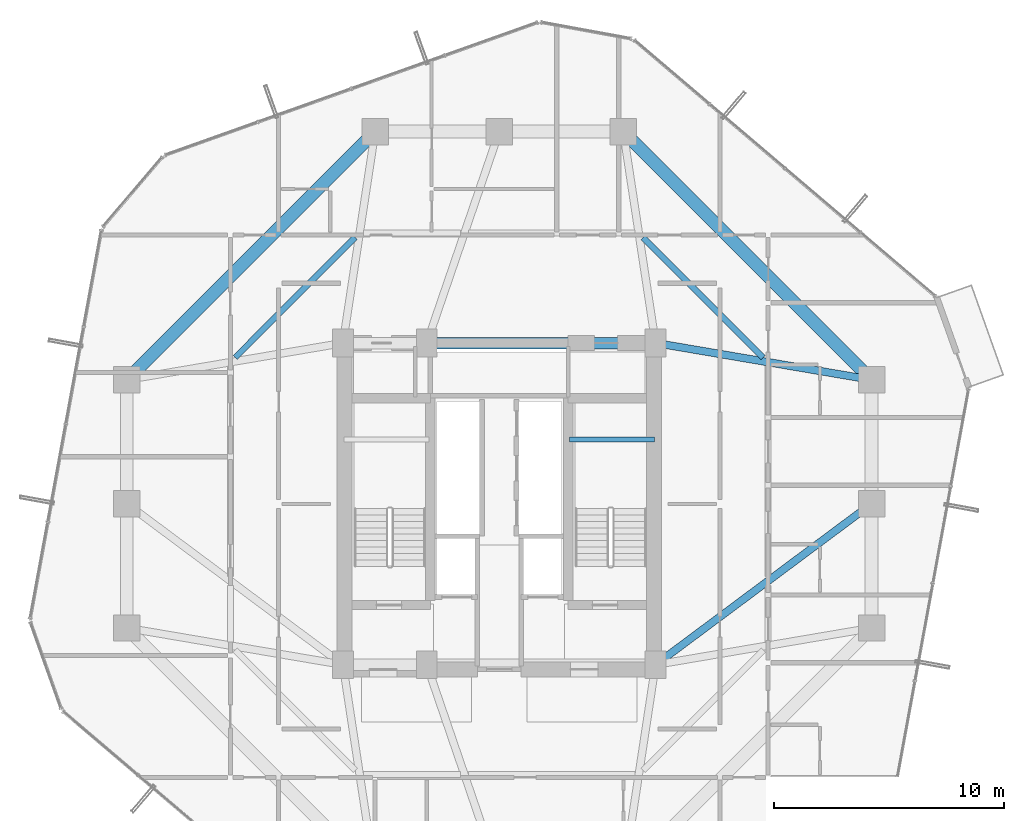
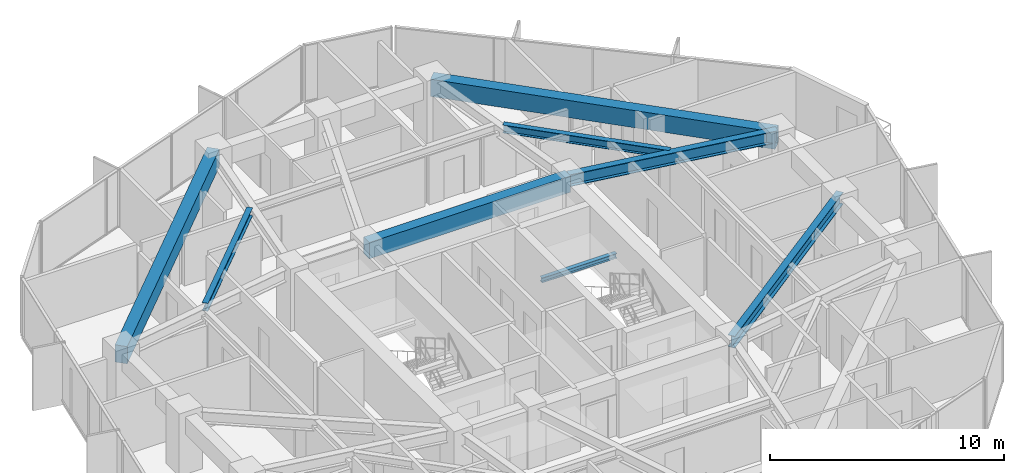
# One storey, part 16 of 33: 8 beams.
"""IFC4 building model written with IfcOpenShell, lengths in metres."""

from ifc_helpers import new_model, si_unit, direction, frame, origin, origin_2d, place, context, subcontext, project, spatial, rectangle, i_section, extrude, material, material_profile, profile_set, type_object, element, save


model = new_model("IFC4")

# Units and contexts
model_context = context("Model", 3, precision=1e-05, world=origin(), true_north=direction((0.0, 1.0)))
body_context = subcontext(model_context, "Body", "Model", "MODEL_VIEW")
ifc_project = project(units=[si_unit("LENGTHUNIT", "METRE"), si_unit("AREAUNIT", "SQUARE_METRE"), si_unit("VOLUMEUNIT", "CUBIC_METRE"), si_unit("PLANEANGLEUNIT", "RADIAN"), si_unit("MASSUNIT", "GRAM", prefix="KILO")], contexts=[model_context])

# Site, building, storey
site_placement = place(None, origin())
site = spatial("IfcSite", under=ifc_project, at=site_placement, CompositionType="ELEMENT")
building_placement = place(site_placement, origin())
building = spatial("IfcBuilding", under=site, at=building_placement, Name="Veraguas Prism Commons", CompositionType="ELEMENT")
storey_placement = place(building_placement, frame((0.0, 0.0, 92.699951171875)))
storey = spatial("IfcBuildingStorey", under=building, at=storey_placement, Name="L25", CompositionType="ELEMENT", Elevation=92.699951171875)

# Beams
ifc_material_1 = material(Name="Concrete C50/60", Category="concrete")
ifc_material_profile_1 = material_profile(ifc_material_1, rectangle(XDim=0.5, YDim=0.85009765625, at=origin_2d()), Name="RC500X850")
ifc_profile_set_1 = profile_set([ifc_material_profile_1], Name="Concrete C50/60")
beam_type_1 = type_object("IfcBeamType", Name="Core Coupling Beam RC 500x850", PredefinedType="BEAM", material=ifc_profile_set_1)
beam_1_placement = place(storey_placement, frame((20.85009765625, 31.0, 2.574951171875), z_axis=(1.0, 0.0, 0.0), x_axis=(0.0, 1.0, 0.0)))
element("IfcBeam", 1, at=beam_1_placement, inside=storey, type_object=beam_type_1, Name="Core Coupling Beam L25-CRN2", PredefinedType="BEAM", context=body_context, shape_type="SweptSolid", body=[
    extrude(rectangle(XDim=0.5, YDim=0.85009765625, at=origin_2d()), origin(), (0.0, 0.0, 1.0), 9.949951171875),
])
ifc_material_2 = material(Name="Steel ASTM A992 Grade 50", Category="steel")
ifc_material_profile_2 = material_profile(ifc_material_2, i_section(OverallWidth=0.260986328125, OverallDepth=0.419921875, WebThickness=0.01171875, FlangeThickness=0.019287109375, at=origin_2d()), Name="W410X114")
ifc_profile_set_2 = profile_set([ifc_material_profile_2], Name="Steel ASTM A992 Grade 50")
beam_type_2 = type_object("IfcBeamType", Name="Lower Floor Joist W410x114", PredefinedType="JOIST", material=ifc_profile_set_2)
for number, where, z_axis, x_axis, name in (
    (2, (35.489990234375, 30.365966796875, 2.7900390625), (-0.707090260193, 0.707123301794, 0.0), (-0.707123301794, -0.707090260193, 0.0), "Composite Floor Joist L25-JS03"),
    (3, (17.734619140625, 35.5908203125, 2.7900390625), (-0.707090260193, -0.707123301794, 0.0), (0.707123301794, -0.707090260193, 0.0), "Composite Floor Joist L25-JS06"),
):
    element("IfcBeam", number, at=place(storey_placement, frame(where, z_axis=z_axis, x_axis=x_axis)), inside=storey, type_object=beam_type_2, Name=name, PredefinedType="JOIST", context=body_context, shape_type="SweptSolid", body=[
        extrude(i_section(OverallWidth=0.260986328125, OverallDepth=0.419921875, WebThickness=0.01171875, FlangeThickness=0.019287109375, at=origin_2d()), origin(), (0.0, 0.0, 1.0), 7.388916015625),
    ])
ifc_material_profile_3 = material_profile(ifc_material_1, rectangle(XDim=0.550048828125, YDim=0.89990234375, at=origin_2d()), Name="RC550X900")
ifc_profile_set_3 = profile_set([ifc_material_profile_3], Name="Concrete C50/60")
beam_type_3 = type_object("IfcBeamType", Name="Perimeter Spandrel Lower RC 550x900", PredefinedType="SPANDREL", material=ifc_profile_set_3)
for number, where, z_axis, x_axis, name in (
    (4, (40.199951171875, 29.39990234375, 2.550048828125), (-0.707106781187, 0.707106781187, 0.0), (-0.707106781187, -0.707106781187, 0.0), "Perimeter Spandrel Beam L25-SP03"),
    (5, (18.60009765625, 40.199951171875, 2.550048828125), (-0.707106781187, -0.707106781187, 0.0), (0.707106781187, -0.707106781187, 0.0), "Perimeter Spandrel Beam L25-SP06"),
):
    element("IfcBeam", number, at=place(storey_placement, frame(where, z_axis=z_axis, x_axis=x_axis)), inside=storey, type_object=beam_type_3, Name=name, PredefinedType="SPANDREL", context=body_context, shape_type="SweptSolid", body=[
        extrude(rectangle(XDim=0.550048828125, YDim=0.89990234375, at=origin_2d()), origin(), (0.0, 0.0, 1.0), 15.273681640625),
    ])
ifc_material_profile_4 = material_profile(ifc_material_2, i_section(OverallWidth=0.202880859375, OverallDepth=0.251953125, WebThickness=0.008056640625, FlangeThickness=0.013427734375, at=origin_2d()), Name="W250X58")
ifc_profile_set_4 = profile_set([ifc_material_profile_4], Name="Steel ASTM A992 Grade 50")
beam_type_4 = type_object("IfcBeamType", Name="Structural Opening Lintel W250x58", PredefinedType="LINTEL", material=ifc_profile_set_4)
beam_2_placement = place(storey_placement, frame((27.050048828125, 26.800048828125, 1.299072265625), z_axis=(1.0, 0.0, 0.0), x_axis=(0.0, 1.0, 0.0)))
element("IfcBeam", 6, at=beam_2_placement, inside=storey, type_object=beam_type_4, Name="Stair ST-02 Half-Landing Support Beam L25-1", PredefinedType="LINTEL", context=body_context, shape_type="SweptSolid", body=[
    extrude(i_section(OverallWidth=0.202880859375, OverallDepth=0.251953125, WebThickness=0.008056640625, FlangeThickness=0.013427734375, at=origin_2d()), origin(), (0.0, 0.0, 1.0), 3.699951171875),
])
ifc_material_profile_5 = material_profile(ifc_material_2, i_section(OverallWidth=0.327880859375, OverallDepth=0.6220703125, WebThickness=0.015380859375, FlangeThickness=0.0244140625, at=origin_2d()), Name="W610X195")
ifc_profile_set_5 = profile_set([ifc_material_profile_5], Name="Steel ASTM A992 Grade 50")
beam_type_5 = type_object("IfcBeamType", Name="Zone 2 Radial Girder W610x195", PredefinedType="BEAM", material=ifc_profile_set_5)
beam_3_placement = place(storey_placement, frame((40.199951171875, 24.0, 2.68896484375), z_axis=(-0.802040137921, -0.597270137512, 0.0), x_axis=(0.597270137512, -0.802040137921, 0.0)))
element("IfcBeam", 7, at=beam_3_placement, inside=storey, type_object=beam_type_5, Name="Radial Floor Girder L25-RD02", PredefinedType="BEAM", context=body_context, shape_type="SweptSolid", body=[
    extrude(i_section(OverallWidth=0.327880859375, OverallDepth=0.6220703125, WebThickness=0.015380859375, FlangeThickness=0.0244140625, at=origin_2d()), origin(), (0.0, 0.0, 1.0), 11.719970703125),
])
beam_4_placement = place(storey_placement, frame((40.199951171875, 29.39990234375, 2.68896484375), z_axis=(-0.985819187151, 0.1678109956, 0.0), x_axis=(-0.1678109956, -0.985819187151, 0.0)))
element("IfcBeam", 8, at=beam_4_placement, inside=storey, type_object=beam_type_5, Name="Radial Floor Girder L25-RD03", PredefinedType="BEAM", context=body_context, shape_type="SweptSolid", body=[
    extrude(i_section(OverallWidth=0.327880859375, OverallDepth=0.6220703125, WebThickness=0.015380859375, FlangeThickness=0.0244140625, at=origin_2d()), origin(), (0.0, 0.0, 1.0), 9.53515625),
])

save(model, "model.ifc")
